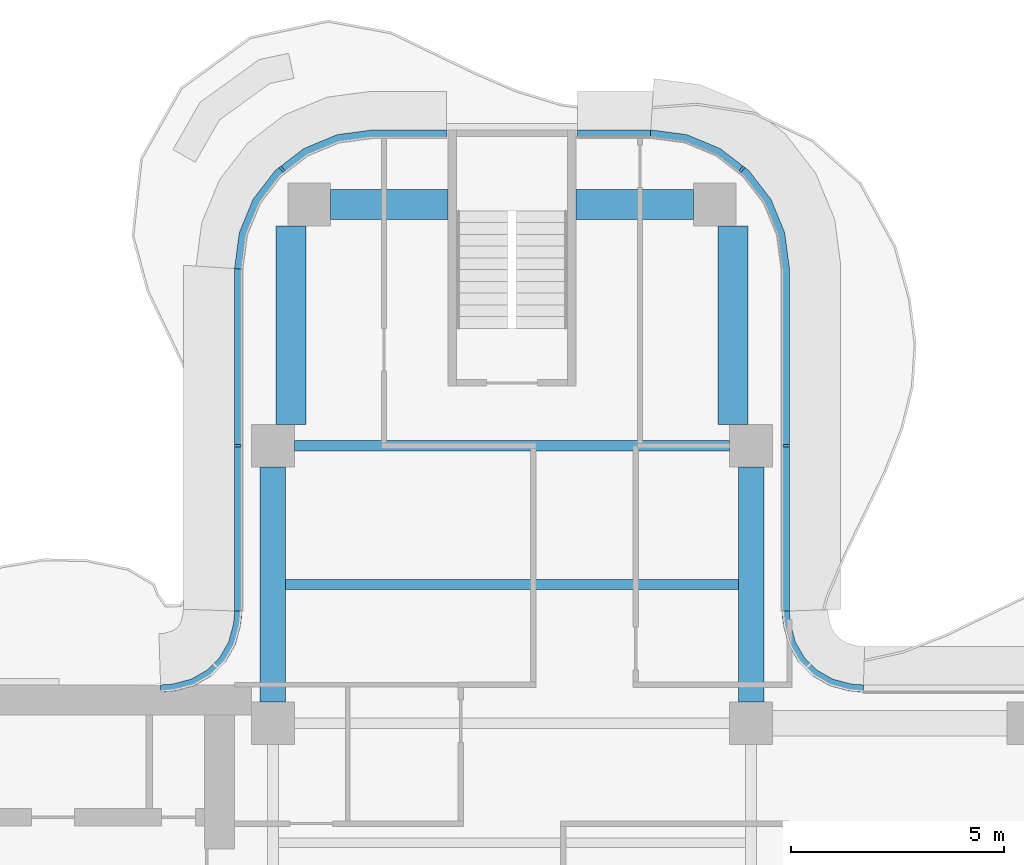
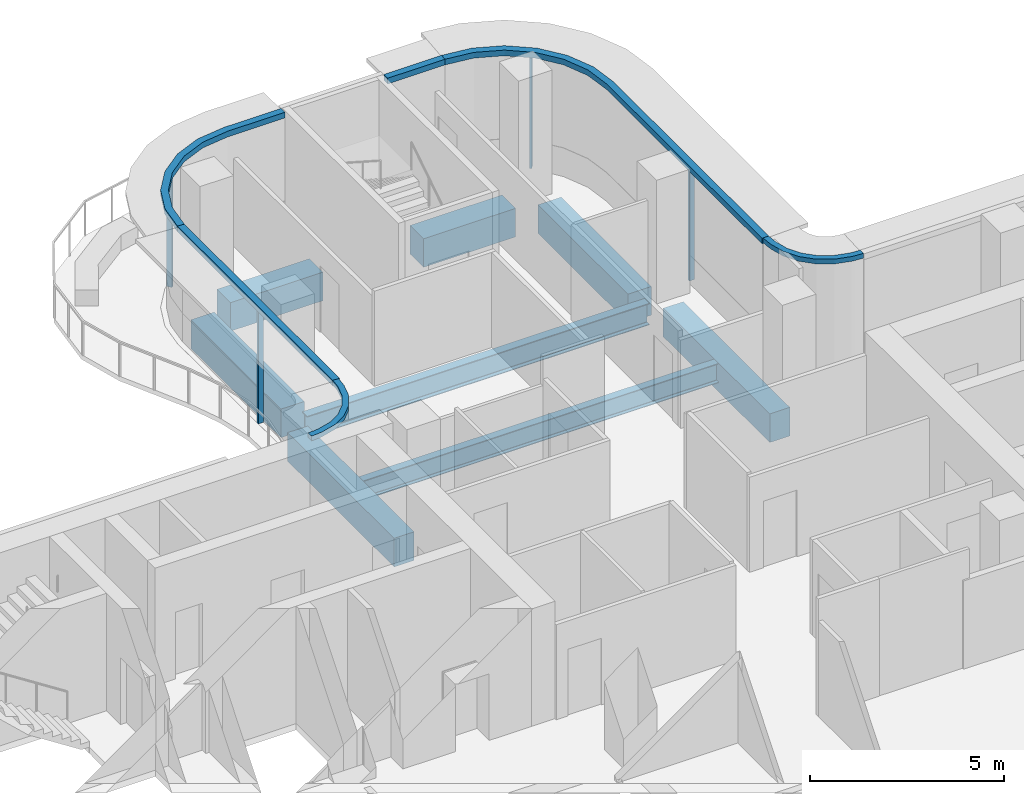
# One storey, part 7 of 16: 10 members, 8 beams, 6 elements without a shape of their own.
"""IFC4 building model written with IfcOpenShell, lengths in metres."""

from ifc_helpers import new_model, si_unit, direction, frame, origin, origin_2d, place, context, subcontext, project, spatial, polyline, rectangle, i_section, outline, extrude, source, transform, mapped, material, layer, layer_set, material_profile, profile_set, type_object, element, aggregate, save


model = new_model("IFC4")

# Units and contexts
model_context = context("Model", 3, precision=1e-05, world=origin(), true_north=direction((0.0, 1.0)))
body_context = subcontext(model_context, "Body", "Model", "MODEL_VIEW")
ifc_project = project(units=[si_unit("LENGTHUNIT", "METRE"), si_unit("AREAUNIT", "SQUARE_METRE"), si_unit("VOLUMEUNIT", "CUBIC_METRE"), si_unit("PLANEANGLEUNIT", "RADIAN"), si_unit("MASSUNIT", "GRAM", prefix="KILO")], contexts=[model_context])

# Site, building, storey
site_placement = place(None, origin())
site = spatial("IfcSite", under=ifc_project, at=site_placement, CompositionType="ELEMENT")
building_placement = place(site_placement, origin())
building = spatial("IfcBuilding", under=site, at=building_placement, Name="Trellis Farm Tower", CompositionType="ELEMENT")
storey_placement = place(building_placement, frame((0.0, 0.0, 318.39990234375)))
storey = spatial("IfcBuildingStorey", under=building, at=storey_placement, Name="L72", CompositionType="ELEMENT", Elevation=318.39990234375)

# Curtain wall, member
ifc_material_1 = material(Name="Aluminium and glass curtain wall", Category="aluminium")
ifc_layer_1 = layer(ifc_material_1, 0.18994140625)
ifc_layer_set_1 = layer_set([ifc_layer_1], Name="RIBBON CURTAIN WALL CW1")
curtain_wall_type_1 = type_object("IfcCurtainWallType", Name="RIBBON CURTAIN WALL CW1", PredefinedType="NOTDEFINED", material=ifc_layer_set_1)
placement_1 = place(storey_placement, origin())
curtain_wall_1 = element("IfcCurtainWall", 1, at=placement_1, inside=storey, type_object=curtain_wall_type_1, Name="CW1 009", PredefinedType="NOTDEFINED")
ifc_material_2 = material(Name="Aluminium extrusion 6063-T6", Category="aluminium")
ifc_layer_2 = layer(ifc_material_2, 0.199951171875)
ifc_layer_set_2 = layer_set([ifc_layer_2], Name="Aluminium extrusion 6063-T6")
member_type_1 = type_object("IfcMemberType", Name="CW1 TRANSOM 200x180", PredefinedType="USERDEFINED", material=ifc_layer_set_2)
placement_2 = place(storey_placement, frame((0.0, 0.0, 3.52001953125)))
member_1 = element("IfcMember", 2, at=placement_2, type_object=member_type_1, Name="TR1 009", ObjectType="TRANSOM", PredefinedType="USERDEFINED", context=body_context, shape_type="SweptSolid", body=[
    extrude(outline(polyline([(6.5, 8.2314453125), (6.5, 16.25), (6.38916015625, 17.091064453125), (6.064697265625, 17.875), (5.548095703125, 18.548095703125), (4.875, 19.064697265625), (4.091064453125, 19.38916015625), (3.25, 19.5), (3.23681640625, 19.300048828125), (4.0390625, 19.1943359375), (4.774169921875, 18.889892578125), (5.405517578125, 18.405517578125), (5.889892578125, 17.774169921875), (6.1943359375, 17.0390625), (6.300048828125, 16.23681640625), (6.300048828125, 8.224853515625), (6.5, 8.2314453125)])), origin(), (0.0, 0.0, 1.0), 0.18017578125),
])

curtain_wall_2 = element("IfcCurtainWall", 3, at=placement_1, inside=storey, type_object=curtain_wall_type_1, Name="CW1 010", PredefinedType="NOTDEFINED")
member_2 = element("IfcMember", 4, at=placement_2, type_object=member_type_1, Name="TR1 010", ObjectType="TRANSOM", PredefinedType="USERDEFINED", context=body_context, shape_type="SweptSolid", body=[
    extrude(outline(polyline([(3.25, 19.5), (1.530029296875, 19.5), (1.530029296875, 19.300048828125), (3.23681640625, 19.300048828125), (3.25, 19.5)])), origin(), (0.0, 0.0, 1.0), 0.18017578125),
])
aggregate(curtain_wall_2, [member_2])

curtain_wall_3 = element("IfcCurtainWall", 5, at=placement_1, inside=storey, type_object=curtain_wall_type_1, Name="CW1 011", PredefinedType="NOTDEFINED")
member_3 = element("IfcMember", 6, at=placement_2, type_object=member_type_1, Name="TR1 011", ObjectType="TRANSOM", PredefinedType="USERDEFINED", context=body_context, shape_type="SweptSolid", body=[
    extrude(outline(polyline([(-1.530029296875, 19.5), (-3.25, 19.5), (-4.091064453125, 19.38916015625), (-4.875, 19.064697265625), (-5.548095703125, 18.548095703125), (-6.064697265625, 17.875), (-6.38916015625, 17.091064453125), (-6.5, 16.25), (-6.300048828125, 16.23681640625), (-6.1943359375, 17.0390625), (-5.889892578125, 17.774169921875), (-5.405517578125, 18.405517578125), (-4.774169921875, 18.889892578125), (-4.0390625, 19.1943359375), (-3.23681640625, 19.300048828125), (-1.530029296875, 19.300048828125), (-1.530029296875, 19.5)])), origin(), (0.0, 0.0, 1.0), 0.18017578125),
])

curtain_wall_4 = element("IfcCurtainWall", 7, at=placement_1, inside=storey, type_object=curtain_wall_type_1, Name="CW1 012", PredefinedType="NOTDEFINED")
member_4 = element("IfcMember", 8, at=placement_2, type_object=member_type_1, Name="TR1 012", ObjectType="TRANSOM", PredefinedType="USERDEFINED", context=body_context, shape_type="SweptSolid", body=[
    extrude(outline(polyline([(-6.5, 16.25), (-6.5, 8.2314453125), (-6.300048828125, 8.224853515625), (-6.300048828125, 16.23681640625), (-6.5, 16.25)])), origin(), (0.0, 0.0, 1.0), 0.18017578125),
])

# Beams
ifc_material_3 = material(Name="Steel S355", Category="steel")
ifc_material_profile_1 = material_profile(ifc_material_3, i_section(OverallWidth=0.22900390625, OverallDepth=0.6123046875, WebThickness=0.011962890625, FlangeThickness=0.01953125, FilletRadius=0.0126953125, at=origin_2d()), Name="UB 610x229x125")
ifc_profile_set_1 = profile_set([ifc_material_profile_1], Name="Steel S355")
beam_type_1 = type_object("IfcBeamType", Name="UB 610x229x125 joist", PredefinedType="JOIST", material=ifc_profile_set_1)
shared_shape_1 = source(origin(), body_context, "Body", "SweptSolid", [
    extrude(i_section(OverallWidth=0.22900390625, OverallDepth=0.6123046875, WebThickness=0.011962890625, FlangeThickness=0.01953125, FilletRadius=0.0126953125, at=origin_2d()), origin(), (0.0, 0.0, 1.0), 10.60009765625),
])
beam_1_placement = place(storey_placement, frame((-5.300048828125, 8.85009765625, -0.506103515625), z_axis=(1.0, 0.0, 0.0), x_axis=(0.0, 1.0, 0.0)))
element("IfcBeam", 9, at=beam_1_placement, inside=storey, type_object=beam_type_1, Name="Floor beam", PredefinedType="JOIST", context=body_context, shape_type="MappedRepresentation", body=[
    mapped(shared_shape_1, transform((0.0, 0.0, 0.0))),
])
ifc_material_profile_2 = material_profile(ifc_material_3, i_section(OverallWidth=0.253662109375, OverallDepth=0.68359375, WebThickness=0.012451171875, FlangeThickness=0.021728515625, FilletRadius=0.01513671875, at=origin_2d()), Name="UB 686x254x140")
ifc_profile_set_2 = profile_set([ifc_material_profile_2], Name="Steel S355")
beam_type_2 = type_object("IfcBeamType", Name="UB 686x254x140", PredefinedType="BEAM", material=ifc_profile_set_2)
shared_shape_2 = source(origin(), body_context, "Body", "SweptSolid", [
    extrude(i_section(OverallWidth=0.253662109375, OverallDepth=0.68359375, WebThickness=0.012451171875, FlangeThickness=0.021728515625, FilletRadius=0.01513671875, at=origin_2d()), origin(), (0.0, 0.0, 1.0), 10.2001953125),
])
beam_2_placement = place(storey_placement, frame((-5.10009765625, 12.10009765625, -0.541748046875), z_axis=(1.0, 0.0, 0.0), x_axis=(0.0, 1.0, 0.0)))
element("IfcBeam", 10, at=beam_2_placement, inside=storey, type_object=beam_type_2, Name="Girder", PredefinedType="BEAM", context=body_context, shape_type="MappedRepresentation", body=[
    mapped(shared_shape_2, transform((0.0, 0.0, 0.0))),
])
ifc_material_4 = material(Name="Concrete C60/75", Category="concrete")
ifc_material_profile_3 = material_profile(ifc_material_4, rectangle(XDim=0.60009765625, YDim=0.89990234375, at=origin_2d()), Name="RC spandrel beam 600x900 C60/75")
ifc_profile_set_3 = profile_set([ifc_material_profile_3], Name="Concrete C60/75")
beam_type_3 = type_object("IfcBeamType", Name="RC spandrel beam 600x900 C60/75", PredefinedType="SPANDREL", material=ifc_profile_set_3)
shared_shape_3 = source(origin(), body_context, "Body", "SweptSolid", [
    extrude(rectangle(XDim=0.60009765625, YDim=0.89990234375, at=origin_2d()), origin(), (0.0, 0.0, 1.0), 5.5),
])
for number, where, z_axis, x_axis, name in (
    (11, (-5.60009765625, 6.10009765625, -0.64990234375), (0.0, 1.0, 0.0), (-1.0, 0.0, 0.0), "Girder"),
    (12, (5.60009765625, 6.10009765625, -0.64990234375), (0.0, 1.0, 0.0), (-1.0, 0.0, 0.0), "Girder"),
):
    element("IfcBeam", number, at=place(storey_placement, frame(where, z_axis=z_axis, x_axis=x_axis)), inside=storey, type_object=beam_type_3, Name=name, PredefinedType="SPANDREL", context=body_context, shape_type="MappedRepresentation", body=[
        mapped(shared_shape_3, transform((0.0, 0.0, 0.0))),
    ])
ifc_material_profile_4 = material_profile(ifc_material_4, rectangle(XDim=0.699951171875, YDim=0.89990234375, at=origin_2d()), Name="RC spandrel beam 700x900 C60/75")
ifc_profile_set_4 = profile_set([ifc_material_profile_4], Name="Concrete C60/75")
beam_type_4 = type_object("IfcBeamType", Name="RC spandrel beam 700x900 C60/75", PredefinedType="SPANDREL", material=ifc_profile_set_4)
shared_shape_4 = source(origin(), body_context, "Body", "SweptSolid", [
    extrude(rectangle(XDim=0.699951171875, YDim=0.89990234375, at=origin_2d()), origin(), (0.0, 0.0, 1.0), 4.64990234375),
])
for number, where, z_axis, x_axis, name in (
    (13, (-5.175048828125, 12.60009765625, -0.64990234375), (0.0, 1.0, 0.0), (-1.0, 0.0, 0.0), "Girder"),
    (14, (5.175048828125, 12.60009765625, -0.64990234375), (0.0, 1.0, 0.0), (-1.0, 0.0, 0.0), "Girder"),
):
    element("IfcBeam", number, at=place(storey_placement, frame(where, z_axis=z_axis, x_axis=x_axis)), inside=storey, type_object=beam_type_4, Name=name, PredefinedType="SPANDREL", context=body_context, shape_type="MappedRepresentation", body=[
        mapped(shared_shape_4, transform((0.0, 0.0, 0.0))),
    ])
shared_shape_5 = source(origin(), body_context, "Body", "SweptSolid", [
    extrude(rectangle(XDim=0.699951171875, YDim=0.89990234375, at=origin_2d()), origin(), (0.0, 0.0, 1.0), 2.75),
])
for number, where, z_axis, x_axis, name in (
    (15, (-4.25, 17.75, -0.64990234375), (1.0, 0.0, 0.0), (0.0, 1.0, 0.0), "Girder"),
    (16, (1.5, 17.75, -0.64990234375), (1.0, 0.0, 0.0), (0.0, 1.0, 0.0), "Girder"),
):
    element("IfcBeam", number, at=place(storey_placement, frame(where, z_axis=z_axis, x_axis=x_axis)), inside=storey, type_object=beam_type_4, Name=name, PredefinedType="SPANDREL", context=body_context, shape_type="MappedRepresentation", body=[
        mapped(shared_shape_5, transform((0.0, 0.0, 0.0))),
    ])

# Member
ifc_material_profile_5 = material_profile(ifc_material_2, rectangle(XDim=0.06005859375, YDim=0.14990234375, at=origin_2d()), Name="MULLION 60x150")
ifc_profile_set_5 = profile_set([ifc_material_profile_5], Name="Aluminium extrusion 6063-T6")
member_type_2 = type_object("IfcMemberType", Name="CW1 MULLION 60x150", PredefinedType="MULLION", material=ifc_profile_set_5)
shared_shape_6 = source(origin(), body_context, "Body", "SweptSolid", [
    extrude(rectangle(XDim=0.06005859375, YDim=0.14990234375, at=origin_2d()), origin(), (0.0, 0.0, 1.0), 3.52001953125),
])
member_5_placement = place(storey_placement, frame((6.425048828125, 12.10009765625, 0.0), z_axis=(0.0, 0.0, 1.0), x_axis=(0.0, 1.0, 0.0)))
member_5 = element("IfcMember", 17, at=member_5_placement, type_object=member_type_2, Name="MU1 009-01", PredefinedType="MULLION", context=body_context, shape_type="MappedRepresentation", body=[
    mapped(shared_shape_6, transform((0.0, 0.0, 0.0))),
])

member_6_placement = place(storey_placement, frame((5.385498046875, 18.578369140625, 0.0), z_axis=(0.0, 0.0, 1.0), x_axis=(-0.793353340291, 0.608761429009, 0.0)))
member_6 = element("IfcMember", 18, at=member_6_placement, type_object=member_type_2, Name="MU1 009-02", PredefinedType="MULLION", context=body_context, shape_type="MappedRepresentation", body=[
    mapped(shared_shape_6, transform((0.0, 0.0, 0.0))),
])

aggregate(curtain_wall_1, [member_5, member_6, member_1])

member_7_placement = place(storey_placement, frame((-5.385498046875, 18.578369140625, 0.0), z_axis=(0.0, 0.0, 1.0), x_axis=(-0.793353340291, -0.608761429009, 0.0)))
member_7 = element("IfcMember", 19, at=member_7_placement, type_object=member_type_2, Name="MU1 011-01", PredefinedType="MULLION", context=body_context, shape_type="MappedRepresentation", body=[
    mapped(shared_shape_6, transform((0.0, 0.0, 0.0))),
])

aggregate(curtain_wall_3, [member_7, member_3])

member_8_placement = place(storey_placement, frame((-6.425048828125, 12.10009765625, 0.0), z_axis=(0.0, 0.0, 1.0), x_axis=(0.0, -1.0, 0.0)))
member_8 = element("IfcMember", 20, at=member_8_placement, type_object=member_type_2, Name="MU1 012-01", PredefinedType="MULLION", context=body_context, shape_type="MappedRepresentation", body=[
    mapped(shared_shape_6, transform((0.0, 0.0, 0.0))),
])

aggregate(curtain_wall_4, [member_8, member_4])

# Curtain wall, member
ifc_layer_3 = layer(ifc_material_1, 0.166015625)
ifc_layer_set_3 = layer_set([ifc_layer_3], Name="WINTER GARDEN CURTAIN WALL CW3")
curtain_wall_type_2 = type_object("IfcCurtainWallType", Name="WINTER GARDEN CURTAIN WALL CW3", PredefinedType="NOTDEFINED", material=ifc_layer_set_3)
curtain_wall_5 = element("IfcCurtainWall", 21, at=placement_1, inside=storey, type_object=curtain_wall_type_2, Name="CW3 003", PredefinedType="NOTDEFINED")
ifc_layer_4 = layer(ifc_material_2, 0.169921875)
ifc_layer_set_4 = layer_set([ifc_layer_4], Name="Aluminium extrusion 6063-T6")
member_type_3 = type_object("IfcMemberType", Name="CW3 TRANSOM 170x150", PredefinedType="USERDEFINED", material=ifc_layer_set_4)
shared_shape_7 = source(origin(), body_context, "Body", "SweptSolid", [
    extrude(outline(polyline([(8.2314453125, 6.5), (8.01953125, 6.513916015625), (7.91552734375, 6.527587890625), (7.508544921875, 6.63671875), (7.144287109375, 6.846923828125), (6.846923828125, 7.144287109375), (6.63671875, 7.508544921875), (6.527587890625, 7.91552734375), (6.513916015625, 8.01953125), (6.5, 8.2314453125), (6.330078125, 8.225830078125), (6.3447265625, 8.0029296875), (6.360595703125, 7.88232421875), (6.478271484375, 7.44287109375), (6.7109375, 7.0400390625), (7.0400390625, 6.7109375), (7.44287109375, 6.478271484375), (7.88232421875, 6.360595703125), (8.0029296875, 6.3447265625), (8.225830078125, 6.330078125), (8.2314453125, 6.5)])), origin(), (0.0, 0.0, 1.0), 0.150146484375),
])
placement_3 = place(storey_placement, frame((0.0, 0.0, 3.550048828125)))
member_9 = element("IfcMember", 22, at=placement_3, type_object=member_type_3, Name="TR3 003", ObjectType="TRANSOM", PredefinedType="USERDEFINED", context=body_context, shape_type="MappedRepresentation", body=[
    mapped(shared_shape_7, transform((0.0, 0.0, 0.0))),
])
aggregate(curtain_wall_5, [member_9])

curtain_wall_6 = element("IfcCurtainWall", 23, at=placement_1, inside=storey, type_object=curtain_wall_type_2, Name="CW3 004", PredefinedType="NOTDEFINED")
shared_shape_8 = source(origin(), body_context, "Body", "SweptSolid", [
    extrude(outline(polyline([(-6.5, 8.2314453125), (-6.513916015625, 8.01953125), (-6.527587890625, 7.91552734375), (-6.63671875, 7.508544921875), (-6.846923828125, 7.144287109375), (-7.144287109375, 6.846923828125), (-7.508544921875, 6.63671875), (-7.91552734375, 6.527587890625), (-8.01953125, 6.513916015625), (-8.2314453125, 6.5), (-8.225830078125, 6.330078125), (-8.0029296875, 6.3447265625), (-7.88232421875, 6.360595703125), (-7.44287109375, 6.478271484375), (-7.0400390625, 6.7109375), (-6.7109375, 7.0400390625), (-6.478271484375, 7.44287109375), (-6.360595703125, 7.88232421875), (-6.3447265625, 8.0029296875), (-6.330078125, 8.225830078125), (-6.5, 8.2314453125)])), origin(), (0.0, 0.0, 1.0), 0.150146484375),
])
member_10 = element("IfcMember", 24, at=placement_3, type_object=member_type_3, Name="TR3 004", ObjectType="TRANSOM", PredefinedType="USERDEFINED", context=body_context, shape_type="MappedRepresentation", body=[
    mapped(shared_shape_8, transform((0.0, 0.0, 0.0))),
])
aggregate(curtain_wall_6, [member_10])

save(model, "model.ifc")
